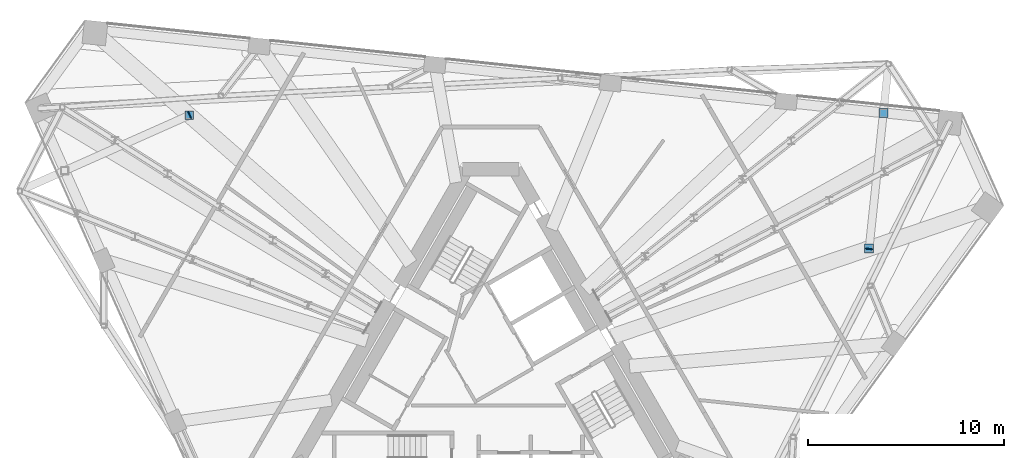
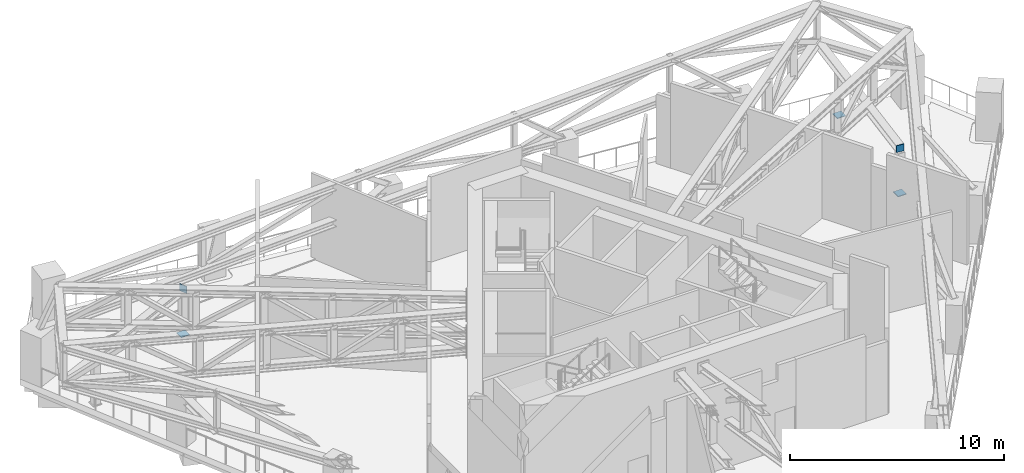
# One storey, part 15 of 20: 5 discrete accessories.
"""IFC4 building model written with IfcOpenShell, lengths in metres."""

from ifc_helpers import new_model, si_unit, direction, frame, origin, origin_2d, place, context, subcontext, project, spatial, rectangle, extrude, material, layer, layer_set, type_object, element, save


model = new_model("IFC4")

# Units and contexts
model_context = context("Model", 3, precision=1e-05, world=origin(), true_north=direction((0.0, 1.0)))
body_context = subcontext(model_context, "Body", "Model", "MODEL_VIEW")
ifc_project = project(units=[si_unit("LENGTHUNIT", "METRE"), si_unit("AREAUNIT", "SQUARE_METRE"), si_unit("VOLUMEUNIT", "CUBIC_METRE"), si_unit("PLANEANGLEUNIT", "RADIAN"), si_unit("MASSUNIT", "GRAM", prefix="KILO")], contexts=[model_context])

# Site, building, storey
site_placement = place(None, origin())
site = spatial("IfcSite", under=ifc_project, at=site_placement, CompositionType="ELEMENT")
building_placement = place(site_placement, origin())
building = spatial("IfcBuilding", under=site, at=building_placement, Name="Tramontana Tower", CompositionType="ELEMENT")
storey_placement = place(building_placement, frame((0.0, 0.0, 269.199951171875)))
storey = spatial("IfcBuildingStorey", under=building, at=storey_placement, Name="L63", CompositionType="ELEMENT", Elevation=269.199951171875)

# Discrete accessories
ifc_material_1 = material(Name="Steel ASTM A572 Grade 50", Category="steel")
ifc_layer_1 = layer(ifc_material_1, 0.0400390625)
ifc_layer_set_1 = layer_set([ifc_layer_1], Name="Base plate 450X450X40")
discrete_accessory_type_1 = type_object("IfcDiscreteAccessoryType", Name="Base plate 450X450X40", PredefinedType="ANCHORPLATE", material=ifc_layer_set_1)
for number, where, z_axis, x_axis, name in (
    (1, (-15.37353515625, 13.408447265625, 0.0), (0.0, 0.0, 1.0), (1.0, 0.0, 0.0), "Transfer truss post base plate C7K1.2"),
    (2, (20.026123046875, 13.53076171875, 0.0), (0.0, 0.0, 1.0), (1.0, 0.0, 0.0), "Transfer truss post base plate C7K5.1"),
    (3, (19.298828125, 6.609619140625, 0.0), (0.0, 0.0, 1.0), (1.0, 0.0, 0.0), "Transfer truss post base plate C7K5.2"),
):
    element("IfcDiscreteAccessory", number, at=place(storey_placement, frame(where, z_axis=z_axis, x_axis=x_axis)), inside=storey, type_object=discrete_accessory_type_1, Name=name, PredefinedType="ANCHORPLATE", context=body_context, shape_type="SweptSolid", body=[
        extrude(rectangle(XDim=0.449951171875, YDim=0.449951171875, at=origin_2d()), origin(), (0.0, 0.0, 1.0), 0.0400390625),
    ])
ifc_material_2 = material(Name="Steel ASTM A572 Grade 50", Category="steel")
ifc_layer_2 = layer(ifc_material_2, 0.0400390625)
ifc_layer_set_2 = layer_set([ifc_layer_2], Name="End plate 397X387X40")
discrete_accessory_type_2 = type_object("IfcDiscreteAccessoryType", Name="End plate 397X387X40", PredefinedType="ANCHORPLATE", material=ifc_layer_set_2)
for number, where, z_axis, x_axis, name in (
    (4, (-15.355224609375, 13.41650390625, 2.39990234375), (0.0, 0.0, 1.0), (0.406736643076, -0.913545457643, 0.0), "Transfer truss girder end plate C7K1.2"),
    (5, (19.296630859375, 6.589599609375, 2.39990234375), (0.0, 0.0, 1.0), (-0.994521895368, 0.104528463268, 0.0), "Transfer truss girder end plate C7K5.2"),
):
    element("IfcDiscreteAccessory", number, at=place(storey_placement, frame(where, z_axis=z_axis, x_axis=x_axis)), inside=storey, type_object=discrete_accessory_type_2, Name=name, PredefinedType="ANCHORPLATE", context=body_context, shape_type="SweptSolid", body=[
        extrude(rectangle(XDim=0.39697265625, YDim=0.0400390625, at=origin_2d()), origin(), (0.0, 0.0, 1.0), 0.387451171875),
    ])

save(model, "model.ifc")
